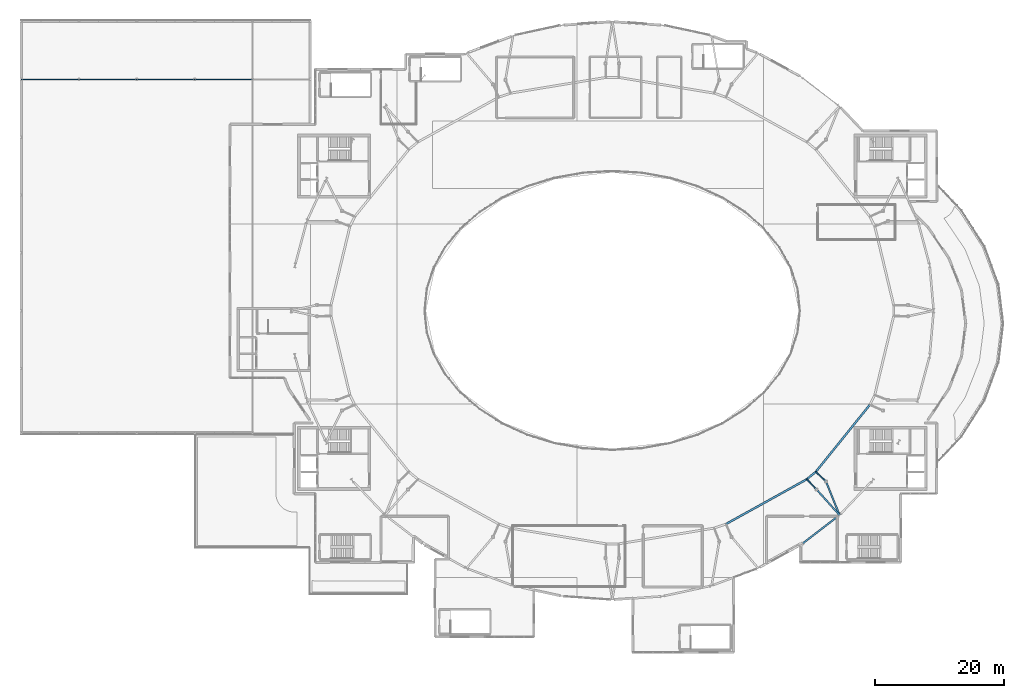
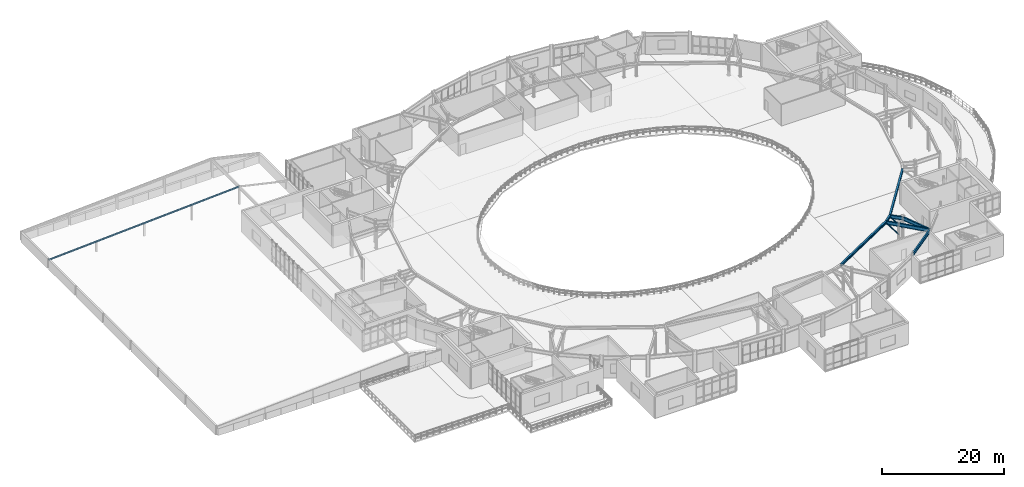
# One storey, part 23 of 48: 9 beams, 2 members.
"""IFC4 building model written with IfcOpenShell, lengths in metres."""

from ifc_helpers import new_model, si_unit, direction, frame, origin, origin_2d, place, context, subcontext, project, spatial, hollow_circle, i_section, extrude, material, material_profile, profile_set, type_object, element, save


model = new_model("IFC4")

# Units and contexts
model_context = context("Model", 3, precision=1e-05, world=origin(), true_north=direction((0.0, 1.0)))
body_context = subcontext(model_context, "Body", "Model", "MODEL_VIEW")
ifc_project = project(units=[si_unit("LENGTHUNIT", "METRE"), si_unit("AREAUNIT", "SQUARE_METRE"), si_unit("VOLUMEUNIT", "CUBIC_METRE"), si_unit("PLANEANGLEUNIT", "RADIAN"), si_unit("MASSUNIT", "GRAM", prefix="KILO")], contexts=[model_context])

# Site, building, storey
site_placement = place(None, origin())
site = spatial("IfcSite", under=ifc_project, at=site_placement, CompositionType="ELEMENT")
building_placement = place(site_placement, origin())
building = spatial("IfcBuilding", under=site, at=building_placement, Name="Glasvene Arena", CompositionType="ELEMENT")
storey_placement = place(building_placement, frame((0.0, 0.0, 19.5)))
storey = spatial("IfcBuildingStorey", under=building, at=storey_placement, Name="L04", CompositionType="ELEMENT", Elevation=19.5)

# Beams
ifc_material = material(Name="Steel S355J2", Category="steel")
ifc_material_profile_1 = material_profile(ifc_material, i_section(OverallWidth=0.300048828125, OverallDepth=0.5, WebThickness=0.014404296875, FlangeThickness=0.028076171875, FilletRadius=0.027099609375, at=origin_2d()), Name="HEB 500")
ifc_profile_set_1 = profile_set([ifc_material_profile_1], Name="Steel S355J2")
beam_type_1 = type_object("IfcBeamType", Name="BM-EAVE-CANT", PredefinedType="BEAM", material=ifc_profile_set_1)
beam_1_placement = place(storey_placement, frame((109.67529296875, 39.787109375, 4.0), z_axis=(0.87482167475, 0.484445081911, 0.0), x_axis=(-0.484445081911, 0.87482167475, 0.0)))
element("IfcBeam", 1, at=beam_1_placement, inside=storey, type_object=beam_type_1, Name="Gondola inner ring girder 27", PredefinedType="BEAM", context=body_context, shape_type="SweptSolid", body=[
    extrude(i_section(OverallWidth=0.300048828125, OverallDepth=0.5, WebThickness=0.014404296875, FlangeThickness=0.028076171875, FilletRadius=0.027099609375, at=origin_2d()), origin(), (0.0, 0.0, 1.0), 14.385986328125),
])
beam_2_placement = place(storey_placement, frame((122.260498046875, 46.75634765625, 4.0), z_axis=(0.770027193344, 0.638011066919, 0.0), x_axis=(-0.638011066919, 0.770027193344, 0.0)))
element("IfcBeam", 2, at=beam_2_placement, inside=storey, type_object=beam_type_1, Name="Gondola inner ring girder 28", PredefinedType="BEAM", context=body_context, shape_type="SweptSolid", body=[
    extrude(i_section(OverallWidth=0.300048828125, OverallDepth=0.5, WebThickness=0.014404296875, FlangeThickness=0.028076171875, FilletRadius=0.027099609375, at=origin_2d()), origin(), (0.0, 0.0, 1.0), 1.8251953125),
])
beam_3_placement = place(storey_placement, frame((123.666015625, 47.9208984375, 4.0), z_axis=(0.627641676125, 0.778502361198, 0.0), x_axis=(-0.778502361198, 0.627641676125, 0.0)))
element("IfcBeam", 3, at=beam_3_placement, inside=storey, type_object=beam_type_1, Name="Gondola inner ring girder 29", PredefinedType="BEAM", context=body_context, shape_type="SweptSolid", body=[
    extrude(i_section(OverallWidth=0.300048828125, OverallDepth=0.5, WebThickness=0.014404296875, FlangeThickness=0.028076171875, FilletRadius=0.027099609375, at=origin_2d()), origin(), (0.0, 0.0, 1.0), 13.39794921875),
])
ifc_material_profile_2 = material_profile(ifc_material, i_section(OverallWidth=0.253662109375, OverallDepth=0.68359375, WebThickness=0.012451171875, FlangeThickness=0.01904296875, FilletRadius=0.01513671875, at=origin_2d()), Name="UKB 686x254x140")
ifc_profile_set_2 = profile_set([ifc_material_profile_2], Name="Steel S355J2")
beam_type_2 = type_object("IfcBeamType", Name="BM-GIRD-686", PredefinedType="BEAM", material=ifc_profile_set_2)
beam_4_placement = place(storey_placement, frame((121.57958984375, 36.740478515625, 3.908203125), z_axis=(0.792832644474, 0.609439412786, 0.0), x_axis=(-0.609439412786, 0.792832644474, 0.0)))
element("IfcBeam", 4, at=beam_4_placement, inside=storey, type_object=beam_type_2, Name="Bowl ring chord beam L04-35", PredefinedType="BEAM", context=body_context, shape_type="SweptSolid", body=[
    extrude(i_section(OverallWidth=0.253662109375, OverallDepth=0.68359375, WebThickness=0.012451171875, FlangeThickness=0.01904296875, FilletRadius=0.01513671875, at=origin_2d()), origin(), (0.0, 0.0, 1.0), 7.044921875),
])
beam_5_placement = place(storey_placement, frame((123.780517578125, 45.165771484375, 3.908203125), z_axis=(0.667691455448, -0.744438123904, 0.0), x_axis=(0.744438123904, 0.667691455448, 0.0)))
element("IfcBeam", 5, at=beam_5_placement, inside=storey, type_object=beam_type_2, Name="Gondola outer floor beam 28", PredefinedType="BEAM", context=body_context, shape_type="SweptSolid", body=[
    extrude(i_section(OverallWidth=0.253662109375, OverallDepth=0.68359375, WebThickness=0.012451171875, FlangeThickness=0.01904296875, FilletRadius=0.01513671875, at=origin_2d()), origin(), (0.0, 0.0, 1.0), 5.353759765625),
])
beam_6_placement = place(storey_placement, frame((122.260498046875, 46.75634765625, 3.908203125), z_axis=(0.690889995843, -0.722959897674, 0.0), x_axis=(0.722959897674, 0.690889995843, 0.0)))
element("IfcBeam", 6, at=beam_6_placement, inside=storey, type_object=beam_type_2, Name="Gondola inner bracket beam 28", PredefinedType="BEAM", context=body_context, shape_type="SweptSolid", body=[
    extrude(i_section(OverallWidth=0.253662109375, OverallDepth=0.68359375, WebThickness=0.012451171875, FlangeThickness=0.01904296875, FilletRadius=0.01513671875, at=origin_2d()), origin(), (0.0, 0.0, 1.0), 2.2001953125),
])
beam_7_placement = place(storey_placement, frame((125.256591796875, 46.40087890625, 3.908203125), z_axis=(0.372976095384, -0.927840952034, 0.0), x_axis=(0.927840952034, 0.372976095384, 0.0)))
element("IfcBeam", 7, at=beam_7_placement, inside=storey, type_object=beam_type_2, Name="Gondola outer floor beam 29", PredefinedType="BEAM", context=body_context, shape_type="SweptSolid", body=[
    extrude(i_section(OverallWidth=0.253662109375, OverallDepth=0.68359375, WebThickness=0.012451171875, FlangeThickness=0.01904296875, FilletRadius=0.01513671875, at=origin_2d()), origin(), (0.0, 0.0, 1.0), 5.626708984375),
])
beam_8_placement = place(storey_placement, frame((123.666015625, 47.9208984375, 3.908203125), z_axis=(0.722959897674, -0.690889995843, 0.0), x_axis=(0.690889995843, 0.722959897674, 0.0)))
element("IfcBeam", 8, at=beam_8_placement, inside=storey, type_object=beam_type_2, Name="Gondola inner bracket beam 29", PredefinedType="BEAM", context=body_context, shape_type="SweptSolid", body=[
    extrude(i_section(OverallWidth=0.253662109375, OverallDepth=0.68359375, WebThickness=0.012451171875, FlangeThickness=0.01904296875, FilletRadius=0.01513671875, at=origin_2d()), origin(), (0.0, 0.0, 1.0), 2.2001953125),
])
ifc_material_profile_3 = material_profile(ifc_material, i_section(OverallWidth=0.1650390625, OverallDepth=0.303466796875, WebThickness=0.006103515625, FlangeThickness=0.01025390625, FilletRadius=0.0087890625, at=origin_2d()), Name="UKB 305x165x40")
ifc_profile_set_3 = profile_set([ifc_material_profile_3], Name="Steel S355J2")
beam_type_3 = type_object("IfcBeamType", Name="BM-RAFTER-305", PredefinedType="BEAM", material=ifc_profile_set_3)
beam_9_placement = place(storey_placement, frame((0.0, 109.0, 1.489990234375), z_axis=(0.998382520726, 0.0, 0.056853692129), x_axis=(0.0, 1.0, 0.0)))
element("IfcBeam", 9, at=beam_9_placement, inside=storey, type_object=beam_type_3, Name="Wing roof rafter V4-W-109", PredefinedType="BEAM", context=body_context, shape_type="SweptSolid", body=[
    extrude(i_section(OverallWidth=0.1650390625, OverallDepth=0.303466796875, WebThickness=0.006103515625, FlangeThickness=0.01025390625, FilletRadius=0.0087890625, at=origin_2d()), origin(), (0.0, 0.0, 1.0), 36.058349609375),
])

# Members
ifc_material_profile_4 = material_profile(ifc_material, hollow_circle(Radius=0.109619140625, WallThickness=0.010009765625, at=origin_2d()), Name="CHS 219.1x10.0")
ifc_profile_set_4 = profile_set([ifc_material_profile_4], Name="Steel S355J2")
member_type = type_object("IfcMemberType", Name="MB-WEB-CHS219", PredefinedType="BRACE", material=ifc_profile_set_4)
for number, where, z_axis, x_axis, name in (
    (10, (123.780517578125, 45.165771484375, 1.89990234375), (-0.511226559656, 0.534956799897, 0.672657882542), (-0.722959897674, -0.690889995843, 0.0), "Gondola inclined knee strut 28"),
    (11, (125.256591796875, 46.40087890625, 1.89990234375), (-0.534956799897, 0.511226559656, 0.672657882542), (-0.690889995843, -0.722959897674, 0.0), "Gondola inclined knee strut 29"),
):
    element("IfcMember", number, at=place(storey_placement, frame(where, z_axis=z_axis, x_axis=x_axis)), inside=storey, type_object=member_type, Name=name, PredefinedType="BRACE", context=body_context, shape_type="SweptSolid", body=[
        extrude(hollow_circle(Radius=0.109619140625, WallThickness=0.010009765625, at=origin_2d()), origin(), (0.0, 0.0, 1.0), 2.973388671875),
    ])

save(model, "model.ifc")
